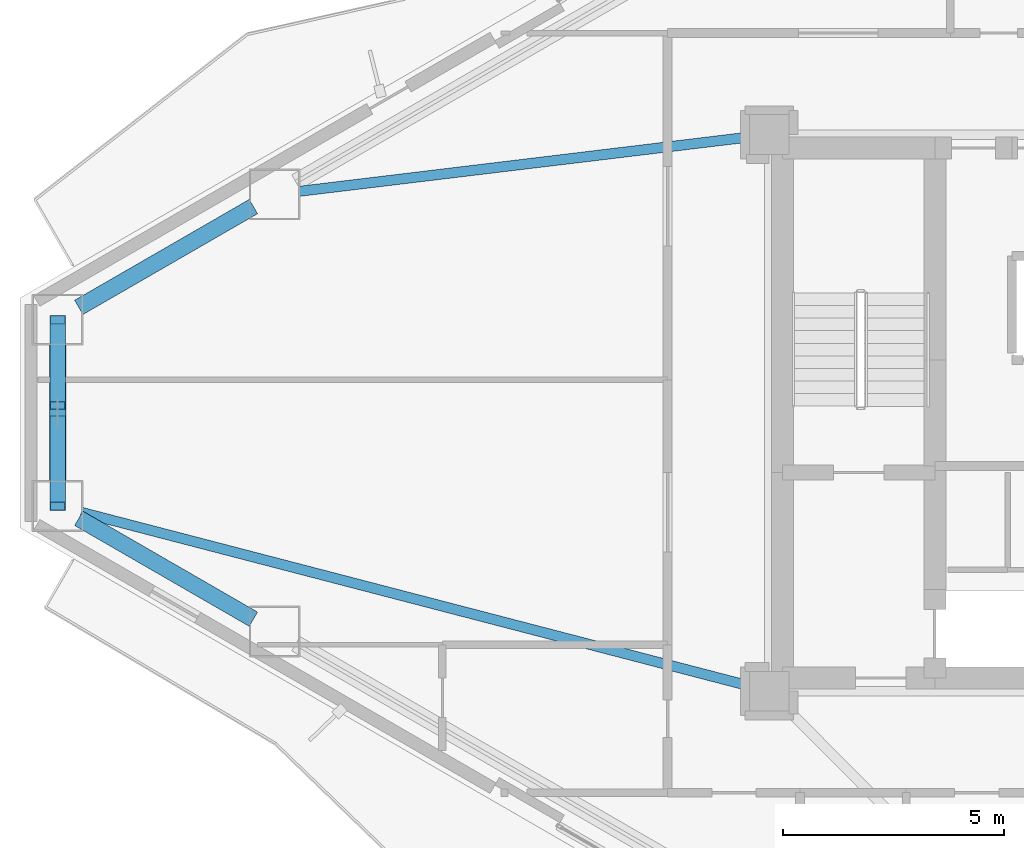
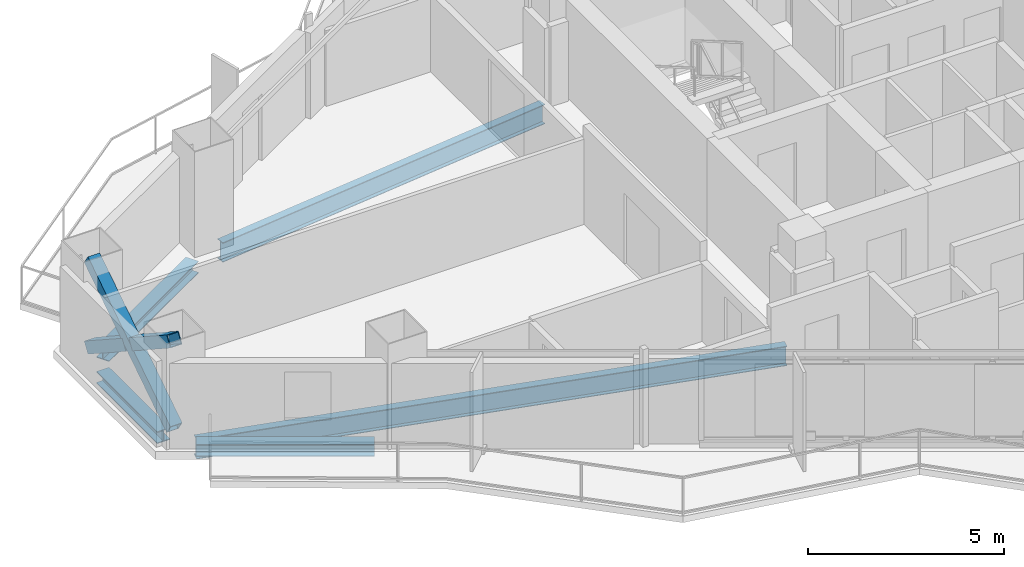
# One storey, part 5 of 22: 5 beams, 3 members.
"""IFC4 building model written with IfcOpenShell, lengths in metres."""

from ifc_helpers import new_model, si_unit, direction, frame, origin, origin_2d, place, context, subcontext, project, spatial, hollow_rectangle, i_section, extrude, material, material_profile, profile_set, type_object, element, save


model = new_model("IFC4")

# Units and contexts
model_context = context("Model", 3, precision=1e-05, world=origin(), true_north=direction((0.0, 1.0)))
body_context = subcontext(model_context, "Body", "Model", "MODEL_VIEW")
ifc_project = project(units=[si_unit("LENGTHUNIT", "METRE"), si_unit("AREAUNIT", "SQUARE_METRE"), si_unit("VOLUMEUNIT", "CUBIC_METRE"), si_unit("PLANEANGLEUNIT", "RADIAN"), si_unit("MASSUNIT", "GRAM", prefix="KILO")], contexts=[model_context])

# Site, building, storey
site_placement = place(None, origin())
site = spatial("IfcSite", under=ifc_project, at=site_placement, CompositionType="ELEMENT")
building_placement = place(site_placement, origin())
building = spatial("IfcBuilding", under=site, at=building_placement, Name="Mersakhor Tower and Convention Hall", CompositionType="ELEMENT")
storey_placement = place(building_placement, frame((0.0, 0.0, 90.0)))
storey = spatial("IfcBuildingStorey", under=building, at=storey_placement, Name="L24", CompositionType="ELEMENT", Elevation=90.0)

# Beams
ifc_material_1 = material(Name="Steel S355", Category="steel")
ifc_material_profile_1 = material_profile(ifc_material_1, i_section(OverallWidth=0.22900390625, OverallDepth=0.6123046875, WebThickness=0.011962890625, FlangeThickness=0.01953125, at=origin_2d()), Name="UB 610x229x125")
ifc_profile_set_1 = profile_set([ifc_material_profile_1], Name="Steel S355")
beam_type_1 = type_object("IfcBeamType", Name="BM-PR-610", PredefinedType="BEAM", material=ifc_profile_set_1)
beam_1_placement = place(storey_placement, frame((21.47314453125, 32.99853515625, -0.55615234375), z_axis=(-0.992798628585, -0.119795171356, 0.0), x_axis=(0.119795171356, -0.992798628585, 0.0)))
element("IfcBeam", 1, at=beam_1_placement, inside=storey, type_object=beam_type_1, Name="L24 Primary Floor Girder FG-1", PredefinedType="BEAM", context=body_context, shape_type="SweptSolid", body=[
    extrude(i_section(OverallWidth=0.22900390625, OverallDepth=0.6123046875, WebThickness=0.011962890625, FlangeThickness=0.01953125, at=origin_2d()), origin(), (0.0, 0.0, 1.0), 10.2939453125),
])
beam_2_placement = place(storey_placement, frame((21.48388671875, 20.55810546875, -0.55615234375), z_axis=(-0.967826150614, 0.251619836632, 0.0), x_axis=(-0.251619836632, -0.967826150614, 0.0)))
element("IfcBeam", 2, at=beam_2_placement, inside=storey, type_object=beam_type_1, Name="L24 Primary Floor Girder FG-6", PredefinedType="BEAM", context=body_context, shape_type="SweptSolid", body=[
    extrude(i_section(OverallWidth=0.22900390625, OverallDepth=0.6123046875, WebThickness=0.011962890625, FlangeThickness=0.01953125, at=origin_2d()), origin(), (0.0, 0.0, 1.0), 15.6640625),
])
ifc_material_2 = material(Name="Steel S355", Category="steel")
ifc_material_profile_2 = material_profile(ifc_material_2, i_section(OverallWidth=0.374755859375, OverallDepth=0.37451171875, WebThickness=0.0166015625, FlangeThickness=0.027099609375, at=origin_2d()), Name="UC 356x368x202")
ifc_profile_set_2 = profile_set([ifc_material_profile_2], Name="Steel S355")
beam_type_2 = type_object("IfcBeamType", Name="BM-SPD-UC356", PredefinedType="SPANDREL", material=ifc_profile_set_2)
for number, where, z_axis, x_axis, name in (
    (3, (6.267333984375, 29.13818359375, -0.437255859375), (0.866023543838, 0.500003221507, 0.0), (-0.500003221507, 0.866023543838, 0.0), "L24 Perimeter Spandrel Beam SPB-01"),
    (4, (10.221923828125, 22.07861328125, -0.437255859375), (-0.866023543838, 0.500003221507, 0.0), (-0.500003221507, -0.866023543838, 0.0), "L24 Perimeter Spandrel Beam SPB-11"),
):
    element("IfcBeam", number, at=place(storey_placement, frame(where, z_axis=z_axis, x_axis=x_axis)), inside=storey, type_object=beam_type_2, Name=name, PredefinedType="SPANDREL", context=body_context, shape_type="SweptSolid", body=[
        extrude(i_section(OverallWidth=0.374755859375, OverallDepth=0.37451171875, WebThickness=0.0166015625, FlangeThickness=0.027099609375, at=origin_2d()), origin(), (0.0, 0.0, 1.0), 4.56640625),
    ])
beam_3_placement = place(storey_placement, frame((5.78662109375, 25.194091796875, -0.437255859375), z_axis=(0.0, 1.0, 0.0), x_axis=(-1.0, 0.0, 0.0)))
element("IfcBeam", 5, at=beam_3_placement, inside=storey, type_object=beam_type_2, Name="L24 Perimeter Spandrel Beam SPB-12", PredefinedType="SPANDREL", context=body_context, shape_type="SweptSolid", body=[
    extrude(i_section(OverallWidth=0.374755859375, OverallDepth=0.37451171875, WebThickness=0.0166015625, FlangeThickness=0.027099609375, at=origin_2d()), origin(), (0.0, 0.0, 1.0), 3.11181640625),
])

# Members
ifc_material_3 = material(Name="Steel S460", Category="steel")
ifc_material_profile_3 = material_profile(ifc_material_3, hollow_rectangle(XDim=0.35009765625, YDim=0.35009765625, WallThickness=0.02001953125, at=origin_2d()), Name="SHS 350x350x20")
ifc_profile_set_3 = profile_set([ifc_material_profile_3], Name="Steel S460")
member_type = type_object("IfcMemberType", Name="MB-BRC-SHS350", PredefinedType="BRACE", material=ifc_profile_set_3)
member_1_placement = place(storey_placement, frame((5.78662109375, 24.63916015625, 0.14990234375), z_axis=(0.0, 0.837907380789, 0.54581244143), x_axis=(-1.0, 0.0, 0.0)))
element("IfcMember", 6, at=member_1_placement, inside=storey, type_object=member_type, Name="L24 Chamfer Braced Frame Diagonal CB-3A", PredefinedType="BRACE", context=body_context, shape_type="SweptSolid", body=[
    extrude(hollow_rectangle(XDim=0.35009765625, YDim=0.35009765625, WallThickness=0.02001953125, at=origin_2d()), origin(), (0.0, 0.0, 1.0), 5.038330078125),
])
member_2_placement = place(storey_placement, frame((5.78662109375, 28.86083984375, 0.14990234375), z_axis=(0.0, -0.83788056026, 0.54585361292), x_axis=(1.0, 0.0, 0.0)))
element("IfcMember", 7, at=member_2_placement, inside=storey, type_object=member_type, Name="L24 Chamfer Braced Frame Diagonal CB-3B Lower Half", PredefinedType="BRACE", context=body_context, shape_type="SweptSolid", body=[
    extrude(hollow_rectangle(XDim=0.35009765625, YDim=0.35009765625, WallThickness=0.02001953125, at=origin_2d()), origin(), (0.0, 0.0, 1.0), 2.320068359375),
])
member_3_placement = place(storey_placement, frame((5.78662109375, 26.5830078125, 1.6337890625), z_axis=(0.0, -0.837928690032, 0.545779727016), x_axis=(1.0, 0.0, 0.0)))
element("IfcMember", 8, at=member_3_placement, inside=storey, type_object=member_type, Name="L24 Chamfer Braced Frame Diagonal CB-3B Upper Half", PredefinedType="BRACE", context=body_context, shape_type="SweptSolid", body=[
    extrude(hollow_rectangle(XDim=0.35009765625, YDim=0.35009765625, WallThickness=0.02001953125, at=origin_2d()), origin(), (0.0, 0.0, 1.0), 2.31982421875),
])

save(model, "model.ifc")
